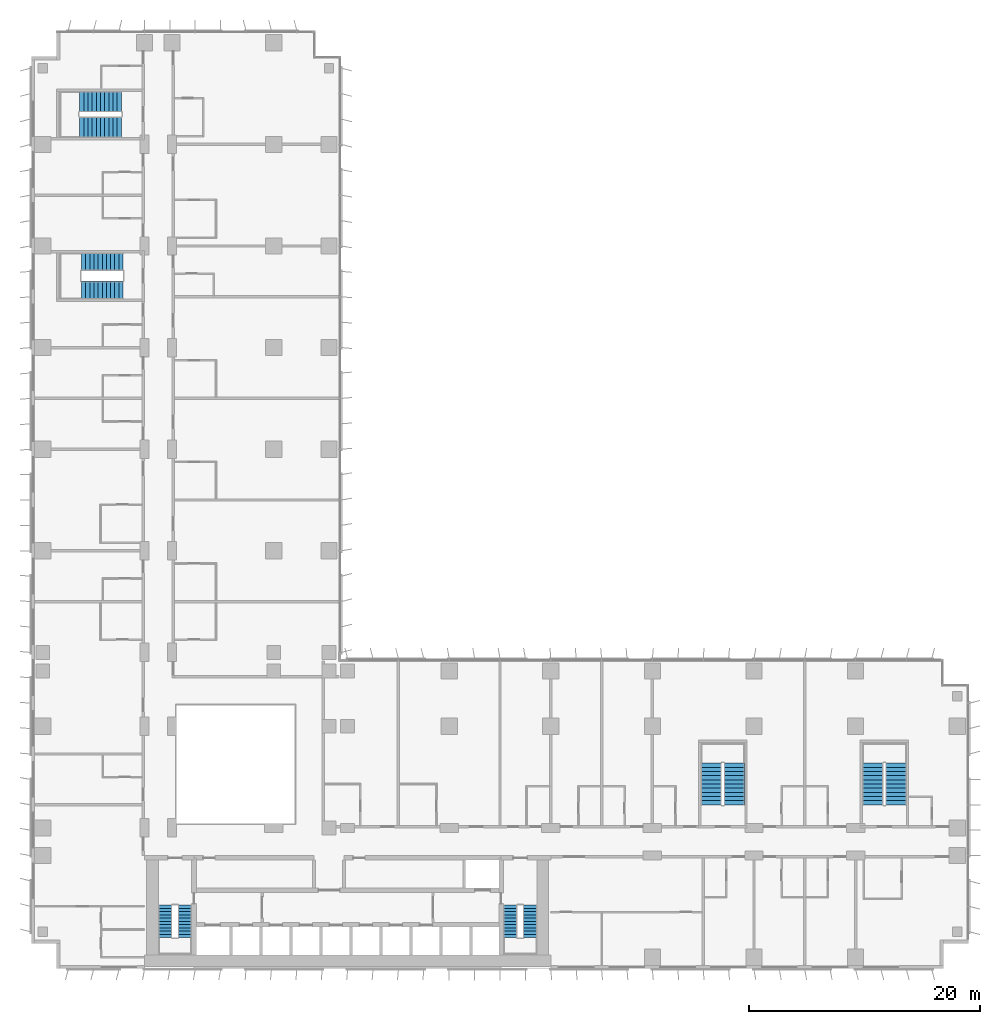
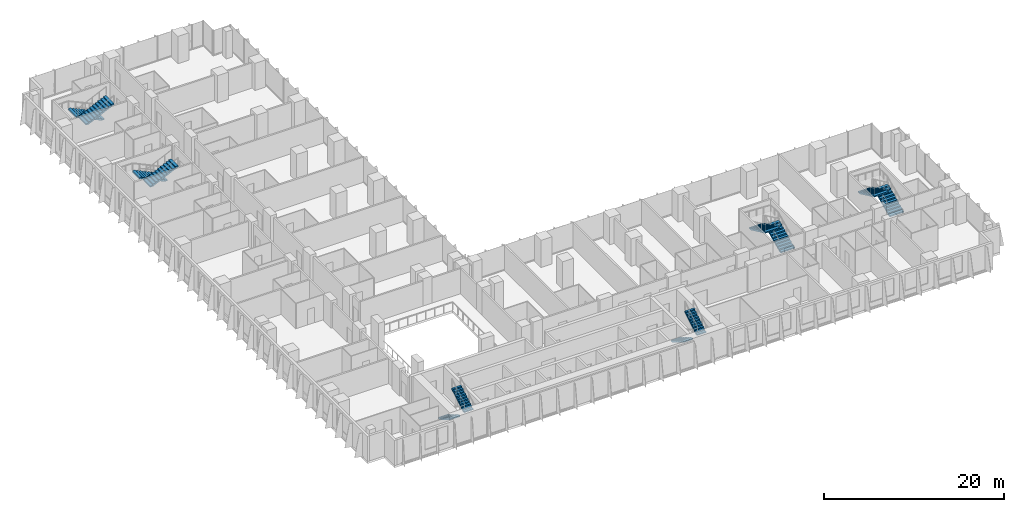
# One storey, part 20 of 24: 12 stair flights, 6 elements without a shape of their own.
"""IFC4 building model written with IfcOpenShell, lengths in metres."""

from ifc_helpers import new_model, si_unit, direction, frame, origin, place, context, subcontext, project, spatial, polyline, outline, extrude, material, type_object, element, aggregate, save


model = new_model("IFC4")

# Units and contexts
model_context = context("Model", 3, precision=1e-05, world=origin(), true_north=direction((0.0, 1.0)))
body_context = subcontext(model_context, "Body", "Model", "MODEL_VIEW")
ifc_project = project(units=[si_unit("LENGTHUNIT", "METRE"), si_unit("AREAUNIT", "SQUARE_METRE"), si_unit("VOLUMEUNIT", "CUBIC_METRE"), si_unit("PLANEANGLEUNIT", "RADIAN"), si_unit("MASSUNIT", "GRAM", prefix="KILO")], contexts=[model_context])

# Site, building, storey
site_placement = place(None, origin())
site = spatial("IfcSite", under=ifc_project, at=site_placement, CompositionType="ELEMENT")
building_placement = place(site_placement, origin())
building = spatial("IfcBuilding", under=site, at=building_placement, Name="Kemantara Hotel Tower", CompositionType="ELEMENT")
storey_placement = place(building_placement, frame((0.0, 0.0, 52.5)))
storey = spatial("IfcBuildingStorey", under=building, at=storey_placement, Name="L11", CompositionType="ELEMENT", Elevation=52.5)

# Stair, stair flights
ifc_material = material(Name="Concrete fc 40 MPa", Category="concrete")
stair_type_1 = type_object("IfcStairType", Name="Stair 1200 wide 22 risers of 168 x 280 mm", PredefinedType="HALF_TURN_STAIR", material=ifc_material)
stair_1_placement = place(storey_placement, origin())
stair_1 = element("IfcStair", 1, at=stair_1_placement, inside=storey, type_object=stair_type_1, Name="L11 Exit stair ST1", PredefinedType="HALF_TURN_STAIR")
stair_flight_type_1 = type_object("IfcStairFlightType", Name="Stair flight 1200 wide 168 x 280 mm", PredefinedType="STRAIGHT", material=ifc_material)
stair_flight_1_placement = place(storey_placement, frame((11.60009765625, 5.5, 0.0), z_axis=(0.0, 0.0, 1.0), x_axis=(0.0, -1.0, 0.0)))
stair_flight_1 = element("IfcStairFlight", 2, at=stair_flight_1_placement, type_object=stair_flight_type_1, Name="ST1 flight 1", NumberOfRisers=11, NumberOfTreads=10, PredefinedType="STRAIGHT", RiserHeight=0.168181818, TreadLength=0.28, context=body_context, shape_type="SweptSolid", body=[
    extrude(outline(polyline([(0.0, 0.0), (0.0, 0.168212890625), (0.280029296875, 0.168212890625), (0.280029296875, 0.33642578125), (0.56005859375, 0.33642578125), (0.56005859375, 0.504638671875), (0.840087890625, 0.504638671875), (0.840087890625, 0.672607421875), (1.1201171875, 0.672607421875), (1.1201171875, 0.8408203125), (1.39990234375, 0.8408203125), (1.39990234375, 1.009033203125), (1.679931640625, 1.009033203125), (1.679931640625, 1.17724609375), (1.9599609375, 1.17724609375), (1.9599609375, 1.345458984375), (2.239990234375, 1.345458984375), (2.239990234375, 1.513671875), (2.52001953125, 1.513671875), (2.52001953125, 1.681884765625), (2.800048828125, 1.681884765625), (2.800048828125, 1.85009765625), (2.800048828125, 1.5068359375), (0.291015625, 0.0), (0.0, 0.0)])), frame((0.0, 0.60009765625, 0.0), z_axis=(0.0, -1.0, 0.0), x_axis=(1.0, 0.0, 0.0)), (0.0, 0.0, 1.0), 1.199951171875),
])
stair_flight_2_placement = place(storey_placement, frame((13.300048828125, 2.699951171875, 1.85009765625), z_axis=(0.0, 0.0, 1.0), x_axis=(0.0, 1.0, 0.0)))
stair_flight_2 = element("IfcStairFlight", 3, at=stair_flight_2_placement, type_object=stair_flight_type_1, Name="ST1 flight 2", NumberOfRisers=11, NumberOfTreads=10, PredefinedType="STRAIGHT", RiserHeight=0.168181818, TreadLength=0.28, context=body_context, shape_type="SweptSolid", body=[
    extrude(outline(polyline([(0.0, 0.0), (0.0, 0.168212890625), (0.280029296875, 0.168212890625), (0.280029296875, 0.33642578125), (0.56005859375, 0.33642578125), (0.56005859375, 0.504638671875), (0.840087890625, 0.504638671875), (0.840087890625, 0.672607421875), (1.1201171875, 0.672607421875), (1.1201171875, 0.8408203125), (1.39990234375, 0.8408203125), (1.39990234375, 1.009033203125), (1.679931640625, 1.009033203125), (1.679931640625, 1.17724609375), (1.9599609375, 1.17724609375), (1.9599609375, 1.345458984375), (2.239990234375, 1.345458984375), (2.239990234375, 1.513671875), (2.52001953125, 1.513671875), (2.52001953125, 1.681884765625), (2.800048828125, 1.681884765625), (2.800048828125, 1.85009765625), (2.800048828125, 1.5068359375), (0.291015625, 0.0), (0.0, 0.0)])), frame((0.0, 0.60009765625, 0.0), z_axis=(0.0, -1.0, 0.0), x_axis=(1.0, 0.0, 0.0)), (0.0, 0.0, 1.0), 1.199951171875),
])
aggregate(stair_1, [stair_flight_1, stair_flight_2])

stair_2_placement = place(storey_placement, origin())
stair_2 = element("IfcStair", 4, at=stair_2_placement, inside=storey, type_object=stair_type_1, Name="L11 Exit stair ST2", PredefinedType="HALF_TURN_STAIR")
stair_flight_3_placement = place(storey_placement, frame((41.5, 5.5, 0.0), z_axis=(0.0, 0.0, 1.0), x_axis=(0.0, -1.0, 0.0)))
stair_flight_3 = element("IfcStairFlight", 5, at=stair_flight_3_placement, type_object=stair_flight_type_1, Name="ST2 flight 1", NumberOfRisers=11, NumberOfTreads=10, PredefinedType="STRAIGHT", RiserHeight=0.168181818, TreadLength=0.28, context=body_context, shape_type="SweptSolid", body=[
    extrude(outline(polyline([(0.0, 0.0), (0.0, 0.168212890625), (0.280029296875, 0.168212890625), (0.280029296875, 0.33642578125), (0.56005859375, 0.33642578125), (0.56005859375, 0.504638671875), (0.840087890625, 0.504638671875), (0.840087890625, 0.672607421875), (1.1201171875, 0.672607421875), (1.1201171875, 0.8408203125), (1.39990234375, 0.8408203125), (1.39990234375, 1.009033203125), (1.679931640625, 1.009033203125), (1.679931640625, 1.17724609375), (1.9599609375, 1.17724609375), (1.9599609375, 1.345458984375), (2.239990234375, 1.345458984375), (2.239990234375, 1.513671875), (2.52001953125, 1.513671875), (2.52001953125, 1.681884765625), (2.800048828125, 1.681884765625), (2.800048828125, 1.85009765625), (2.800048828125, 1.5068359375), (0.291015625, 0.0), (0.0, 0.0)])), frame((0.0, 0.60009765625, 0.0), z_axis=(0.0, -1.0, 0.0), x_axis=(1.0, 0.0, 0.0)), (0.0, 0.0, 1.0), 1.199951171875),
])
stair_flight_4_placement = place(storey_placement, frame((43.199951171875, 2.699951171875, 1.85009765625), z_axis=(0.0, 0.0, 1.0), x_axis=(0.0, 1.0, 0.0)))
stair_flight_4 = element("IfcStairFlight", 6, at=stair_flight_4_placement, type_object=stair_flight_type_1, Name="ST2 flight 2", NumberOfRisers=11, NumberOfTreads=10, PredefinedType="STRAIGHT", RiserHeight=0.168181818, TreadLength=0.28, context=body_context, shape_type="SweptSolid", body=[
    extrude(outline(polyline([(0.0, 0.0), (0.0, 0.168212890625), (0.280029296875, 0.168212890625), (0.280029296875, 0.33642578125), (0.56005859375, 0.33642578125), (0.56005859375, 0.504638671875), (0.840087890625, 0.504638671875), (0.840087890625, 0.672607421875), (1.1201171875, 0.672607421875), (1.1201171875, 0.8408203125), (1.39990234375, 0.8408203125), (1.39990234375, 1.009033203125), (1.679931640625, 1.009033203125), (1.679931640625, 1.17724609375), (1.9599609375, 1.17724609375), (1.9599609375, 1.345458984375), (2.239990234375, 1.345458984375), (2.239990234375, 1.513671875), (2.52001953125, 1.513671875), (2.52001953125, 1.681884765625), (2.800048828125, 1.681884765625), (2.800048828125, 1.85009765625), (2.800048828125, 1.5068359375), (0.291015625, 0.0), (0.0, 0.0)])), frame((0.0, 0.60009765625, 0.0), z_axis=(0.0, -1.0, 0.0), x_axis=(1.0, 0.0, 0.0)), (0.0, 0.0, 1.0), 1.199951171875),
])
aggregate(stair_2, [stair_flight_3, stair_flight_4])

stair_type_2 = type_object("IfcStairType", Name="Stair 1550 wide 22 risers of 168 x 360 mm", PredefinedType="HALF_TURN_STAIR", material=ifc_material)
stair_3_placement = place(storey_placement, origin())
stair_3 = element("IfcStair", 7, at=stair_3_placement, inside=storey, type_object=stair_type_2, Name="L11 Exit stair ST4", PredefinedType="HALF_TURN_STAIR")
stair_flight_type_2 = type_object("IfcStairFlightType", Name="Stair flight 1550 wide 168 x 360 mm", PredefinedType="STRAIGHT", material=ifc_material)
stair_flight_5_placement = place(storey_placement, frame((7.949951171875, 61.22509765625, 0.0), z_axis=(0.0, 0.0, 1.0), x_axis=(-1.0, 0.0, 0.0)))
stair_flight_5 = element("IfcStairFlight", 8, at=stair_flight_5_placement, type_object=stair_flight_type_2, Name="ST4 flight 1", NumberOfRisers=11, NumberOfTreads=10, PredefinedType="STRAIGHT", RiserHeight=0.168181818, TreadLength=0.36, context=body_context, shape_type="SweptSolid", body=[
    extrude(outline(polyline([(0.0, 0.0), (0.0, 0.168212890625), (0.360107421875, 0.168212890625), (0.360107421875, 0.33642578125), (0.719970703125, 0.33642578125), (0.719970703125, 0.504638671875), (1.080078125, 0.504638671875), (1.080078125, 0.672607421875), (1.43994140625, 0.672607421875), (1.43994140625, 0.8408203125), (1.800048828125, 0.8408203125), (1.800048828125, 1.009033203125), (2.159912109375, 1.009033203125), (2.159912109375, 1.17724609375), (2.52001953125, 1.17724609375), (2.52001953125, 1.345458984375), (2.8798828125, 1.345458984375), (2.8798828125, 1.513671875), (3.239990234375, 1.513671875), (3.239990234375, 1.681884765625), (3.60009765625, 1.681884765625), (3.60009765625, 1.85009765625), (3.60009765625, 1.516357421875), (0.354248046875, 0.0), (0.0, 0.0)])), frame((0.0, 0.77490234375, 0.0), z_axis=(0.0, -1.0, 0.0), x_axis=(1.0, 0.0, 0.0)), (0.0, 0.0, 1.0), 1.550048828125),
])
stair_flight_6_placement = place(storey_placement, frame((4.35009765625, 58.77490234375, 1.85009765625), z_axis=(0.0, 0.0, 1.0), x_axis=(1.0, 0.0, 0.0)))
stair_flight_6 = element("IfcStairFlight", 9, at=stair_flight_6_placement, type_object=stair_flight_type_2, Name="ST4 flight 2", NumberOfRisers=11, NumberOfTreads=10, PredefinedType="STRAIGHT", RiserHeight=0.168181818, TreadLength=0.36, context=body_context, shape_type="SweptSolid", body=[
    extrude(outline(polyline([(0.0, 0.0), (0.0, 0.168212890625), (0.360107421875, 0.168212890625), (0.360107421875, 0.33642578125), (0.719970703125, 0.33642578125), (0.719970703125, 0.504638671875), (1.080078125, 0.504638671875), (1.080078125, 0.672607421875), (1.43994140625, 0.672607421875), (1.43994140625, 0.8408203125), (1.800048828125, 0.8408203125), (1.800048828125, 1.009033203125), (2.159912109375, 1.009033203125), (2.159912109375, 1.17724609375), (2.52001953125, 1.17724609375), (2.52001953125, 1.345458984375), (2.8798828125, 1.345458984375), (2.8798828125, 1.513671875), (3.239990234375, 1.513671875), (3.239990234375, 1.681884765625), (3.60009765625, 1.681884765625), (3.60009765625, 1.85009765625), (3.60009765625, 1.516357421875), (0.354248046875, 0.0), (0.0, 0.0)])), frame((0.0, 0.77490234375, 0.0), z_axis=(0.0, -1.0, 0.0), x_axis=(1.0, 0.0, 0.0)), (0.0, 0.0, 1.0), 1.550048828125),
])
aggregate(stair_3, [stair_flight_5, stair_flight_6])

stair_type_3 = type_object("IfcStairType", Name="Stair 1800 wide 22 risers of 168 x 360 mm", PredefinedType="HALF_TURN_STAIR", material=ifc_material)
stair_4_placement = place(storey_placement, origin())
stair_4 = element("IfcStair", 10, at=stair_4_placement, inside=storey, type_object=stair_type_3, Name="L11 Exit stair ST3", PredefinedType="HALF_TURN_STAIR")
stair_flight_type_3 = type_object("IfcStairFlightType", Name="Stair flight 1800 wide 168 x 360 mm", PredefinedType="STRAIGHT", material=ifc_material)
stair_flight_7_placement = place(storey_placement, frame((60.89990234375, 14.199951171875, 0.0), z_axis=(0.0, 0.0, 1.0), x_axis=(0.0, 1.0, 0.0)))
stair_flight_7 = element("IfcStairFlight", 11, at=stair_flight_7_placement, type_object=stair_flight_type_3, Name="ST3 flight 1", NumberOfRisers=11, NumberOfTreads=10, PredefinedType="STRAIGHT", RiserHeight=0.168181818, TreadLength=0.36, context=body_context, shape_type="SweptSolid", body=[
    extrude(outline(polyline([(0.0, 0.0), (0.0, 0.168212890625), (0.360107421875, 0.168212890625), (0.360107421875, 0.33642578125), (0.719970703125, 0.33642578125), (0.719970703125, 0.504638671875), (1.080078125, 0.504638671875), (1.080078125, 0.672607421875), (1.43994140625, 0.672607421875), (1.43994140625, 0.8408203125), (1.800048828125, 0.8408203125), (1.800048828125, 1.009033203125), (2.159912109375, 1.009033203125), (2.159912109375, 1.17724609375), (2.52001953125, 1.17724609375), (2.52001953125, 1.345458984375), (2.8798828125, 1.345458984375), (2.8798828125, 1.513671875), (3.239990234375, 1.513671875), (3.239990234375, 1.681884765625), (3.60009765625, 1.681884765625), (3.60009765625, 1.85009765625), (3.60009765625, 1.516357421875), (0.354248046875, 0.0), (0.0, 0.0)])), frame((0.0, 0.89990234375, 0.0), z_axis=(0.0, -1.0, 0.0), x_axis=(1.0, 0.0, 0.0)), (0.0, 0.0, 1.0), 1.800048828125),
])
stair_flight_8_placement = place(storey_placement, frame((58.89990234375, 17.800048828125, 1.85009765625), z_axis=(0.0, 0.0, 1.0), x_axis=(0.0, -1.0, 0.0)))
stair_flight_8 = element("IfcStairFlight", 12, at=stair_flight_8_placement, type_object=stair_flight_type_3, Name="ST3 flight 2", NumberOfRisers=11, NumberOfTreads=10, PredefinedType="STRAIGHT", RiserHeight=0.168181818, TreadLength=0.36, context=body_context, shape_type="SweptSolid", body=[
    extrude(outline(polyline([(0.0, 0.0), (0.0, 0.168212890625), (0.360107421875, 0.168212890625), (0.360107421875, 0.33642578125), (0.719970703125, 0.33642578125), (0.719970703125, 0.504638671875), (1.080078125, 0.504638671875), (1.080078125, 0.672607421875), (1.43994140625, 0.672607421875), (1.43994140625, 0.8408203125), (1.800048828125, 0.8408203125), (1.800048828125, 1.009033203125), (2.159912109375, 1.009033203125), (2.159912109375, 1.17724609375), (2.52001953125, 1.17724609375), (2.52001953125, 1.345458984375), (2.8798828125, 1.345458984375), (2.8798828125, 1.513671875), (3.239990234375, 1.513671875), (3.239990234375, 1.681884765625), (3.60009765625, 1.681884765625), (3.60009765625, 1.85009765625), (3.60009765625, 1.516357421875), (0.354248046875, 0.0), (0.0, 0.0)])), frame((0.0, 0.89990234375, 0.0), z_axis=(0.0, -1.0, 0.0), x_axis=(1.0, 0.0, 0.0)), (0.0, 0.0, 1.0), 1.800048828125),
])
aggregate(stair_4, [stair_flight_7, stair_flight_8])

stair_5_placement = place(storey_placement, origin())
stair_5 = element("IfcStair", 13, at=stair_5_placement, inside=storey, type_object=stair_type_3, Name="L11 Exit stair ST5", PredefinedType="HALF_TURN_STAIR")
stair_flight_9_placement = place(storey_placement, frame((74.89990234375, 14.199951171875, 0.0), z_axis=(0.0, 0.0, 1.0), x_axis=(0.0, 1.0, 0.0)))
stair_flight_9 = element("IfcStairFlight", 14, at=stair_flight_9_placement, type_object=stair_flight_type_3, Name="ST5 flight 1", NumberOfRisers=11, NumberOfTreads=10, PredefinedType="STRAIGHT", RiserHeight=0.168181818, TreadLength=0.36, context=body_context, shape_type="SweptSolid", body=[
    extrude(outline(polyline([(0.0, 0.0), (0.0, 0.168212890625), (0.360107421875, 0.168212890625), (0.360107421875, 0.33642578125), (0.719970703125, 0.33642578125), (0.719970703125, 0.504638671875), (1.080078125, 0.504638671875), (1.080078125, 0.672607421875), (1.43994140625, 0.672607421875), (1.43994140625, 0.8408203125), (1.800048828125, 0.8408203125), (1.800048828125, 1.009033203125), (2.159912109375, 1.009033203125), (2.159912109375, 1.17724609375), (2.52001953125, 1.17724609375), (2.52001953125, 1.345458984375), (2.8798828125, 1.345458984375), (2.8798828125, 1.513671875), (3.239990234375, 1.513671875), (3.239990234375, 1.681884765625), (3.60009765625, 1.681884765625), (3.60009765625, 1.85009765625), (3.60009765625, 1.516357421875), (0.354248046875, 0.0), (0.0, 0.0)])), frame((0.0, 0.89990234375, 0.0), z_axis=(0.0, -1.0, 0.0), x_axis=(1.0, 0.0, 0.0)), (0.0, 0.0, 1.0), 1.800048828125),
])
stair_flight_10_placement = place(storey_placement, frame((72.89990234375, 17.800048828125, 1.85009765625), z_axis=(0.0, 0.0, 1.0), x_axis=(0.0, -1.0, 0.0)))
stair_flight_10 = element("IfcStairFlight", 15, at=stair_flight_10_placement, type_object=stair_flight_type_3, Name="ST5 flight 2", NumberOfRisers=11, NumberOfTreads=10, PredefinedType="STRAIGHT", RiserHeight=0.168181818, TreadLength=0.36, context=body_context, shape_type="SweptSolid", body=[
    extrude(outline(polyline([(0.0, 0.0), (0.0, 0.168212890625), (0.360107421875, 0.168212890625), (0.360107421875, 0.33642578125), (0.719970703125, 0.33642578125), (0.719970703125, 0.504638671875), (1.080078125, 0.504638671875), (1.080078125, 0.672607421875), (1.43994140625, 0.672607421875), (1.43994140625, 0.8408203125), (1.800048828125, 0.8408203125), (1.800048828125, 1.009033203125), (2.159912109375, 1.009033203125), (2.159912109375, 1.17724609375), (2.52001953125, 1.17724609375), (2.52001953125, 1.345458984375), (2.8798828125, 1.345458984375), (2.8798828125, 1.513671875), (3.239990234375, 1.513671875), (3.239990234375, 1.681884765625), (3.60009765625, 1.681884765625), (3.60009765625, 1.85009765625), (3.60009765625, 1.516357421875), (0.354248046875, 0.0), (0.0, 0.0)])), frame((0.0, 0.89990234375, 0.0), z_axis=(0.0, -1.0, 0.0), x_axis=(1.0, 0.0, 0.0)), (0.0, 0.0, 1.0), 1.800048828125),
])
aggregate(stair_5, [stair_flight_9, stair_flight_10])

stair_6_placement = place(storey_placement, origin())
stair_6 = element("IfcStair", 16, at=stair_6_placement, inside=storey, type_object=stair_type_3, Name="L11 Exit stair ST6", PredefinedType="HALF_TURN_STAIR")
stair_flight_11_placement = place(storey_placement, frame((7.800048828125, 75.10009765625, 0.0), z_axis=(0.0, 0.0, 1.0), x_axis=(-1.0, 0.0, 0.0)))
stair_flight_11 = element("IfcStairFlight", 17, at=stair_flight_11_placement, type_object=stair_flight_type_3, Name="ST6 flight 1", NumberOfRisers=11, NumberOfTreads=10, PredefinedType="STRAIGHT", RiserHeight=0.168181818, TreadLength=0.36, context=body_context, shape_type="SweptSolid", body=[
    extrude(outline(polyline([(0.0, 0.0), (0.0, 0.168212890625), (0.360107421875, 0.168212890625), (0.360107421875, 0.33642578125), (0.719970703125, 0.33642578125), (0.719970703125, 0.504638671875), (1.080078125, 0.504638671875), (1.080078125, 0.672607421875), (1.43994140625, 0.672607421875), (1.43994140625, 0.8408203125), (1.800048828125, 0.8408203125), (1.800048828125, 1.009033203125), (2.159912109375, 1.009033203125), (2.159912109375, 1.17724609375), (2.52001953125, 1.17724609375), (2.52001953125, 1.345458984375), (2.8798828125, 1.345458984375), (2.8798828125, 1.513671875), (3.239990234375, 1.513671875), (3.239990234375, 1.681884765625), (3.60009765625, 1.681884765625), (3.60009765625, 1.85009765625), (3.60009765625, 1.516357421875), (0.354248046875, 0.0), (0.0, 0.0)])), frame((0.0, 0.89990234375, 0.0), z_axis=(0.0, -1.0, 0.0), x_axis=(1.0, 0.0, 0.0)), (0.0, 0.0, 1.0), 1.800048828125),
])
stair_flight_12_placement = place(storey_placement, frame((4.199951171875, 72.89990234375, 1.85009765625), z_axis=(0.0, 0.0, 1.0), x_axis=(1.0, 0.0, 0.0)))
stair_flight_12 = element("IfcStairFlight", 18, at=stair_flight_12_placement, type_object=stair_flight_type_3, Name="ST6 flight 2", NumberOfRisers=11, NumberOfTreads=10, PredefinedType="STRAIGHT", RiserHeight=0.168181818, TreadLength=0.36, context=body_context, shape_type="SweptSolid", body=[
    extrude(outline(polyline([(0.0, 0.0), (0.0, 0.168212890625), (0.360107421875, 0.168212890625), (0.360107421875, 0.33642578125), (0.719970703125, 0.33642578125), (0.719970703125, 0.504638671875), (1.080078125, 0.504638671875), (1.080078125, 0.672607421875), (1.43994140625, 0.672607421875), (1.43994140625, 0.8408203125), (1.800048828125, 0.8408203125), (1.800048828125, 1.009033203125), (2.159912109375, 1.009033203125), (2.159912109375, 1.17724609375), (2.52001953125, 1.17724609375), (2.52001953125, 1.345458984375), (2.8798828125, 1.345458984375), (2.8798828125, 1.513671875), (3.239990234375, 1.513671875), (3.239990234375, 1.681884765625), (3.60009765625, 1.681884765625), (3.60009765625, 1.85009765625), (3.60009765625, 1.516357421875), (0.354248046875, 0.0), (0.0, 0.0)])), frame((0.0, 0.89990234375, 0.0), z_axis=(0.0, -1.0, 0.0), x_axis=(1.0, 0.0, 0.0)), (0.0, 0.0, 1.0), 1.800048828125),
])
aggregate(stair_6, [stair_flight_11, stair_flight_12])

save(model, "model.ifc")
